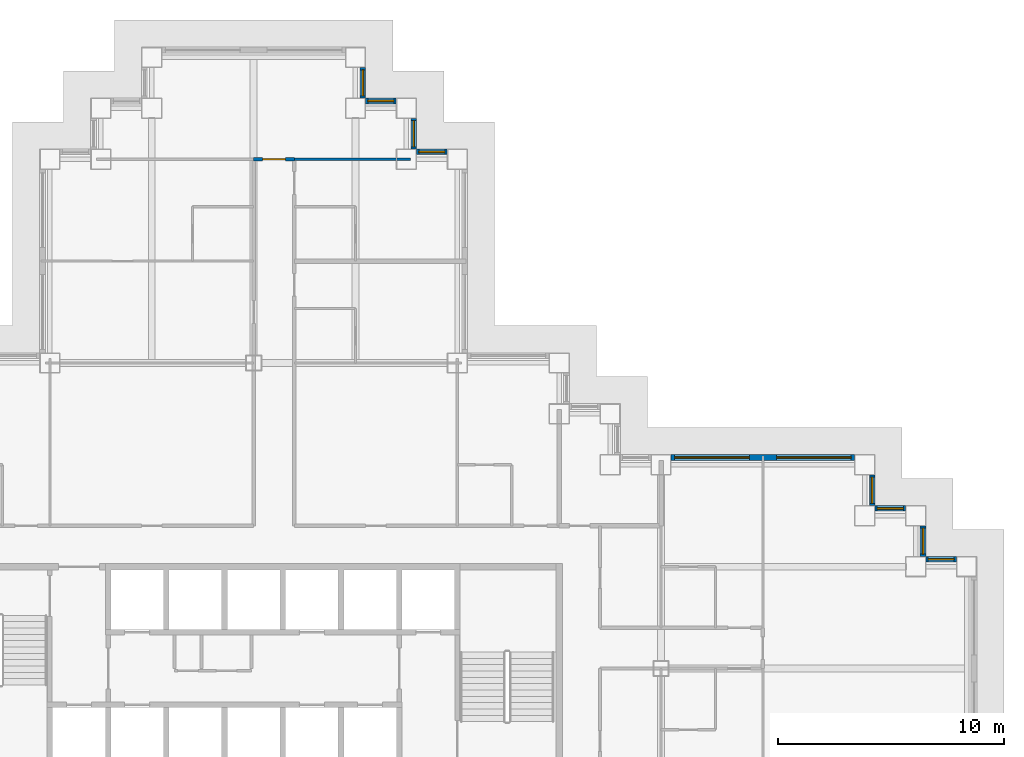
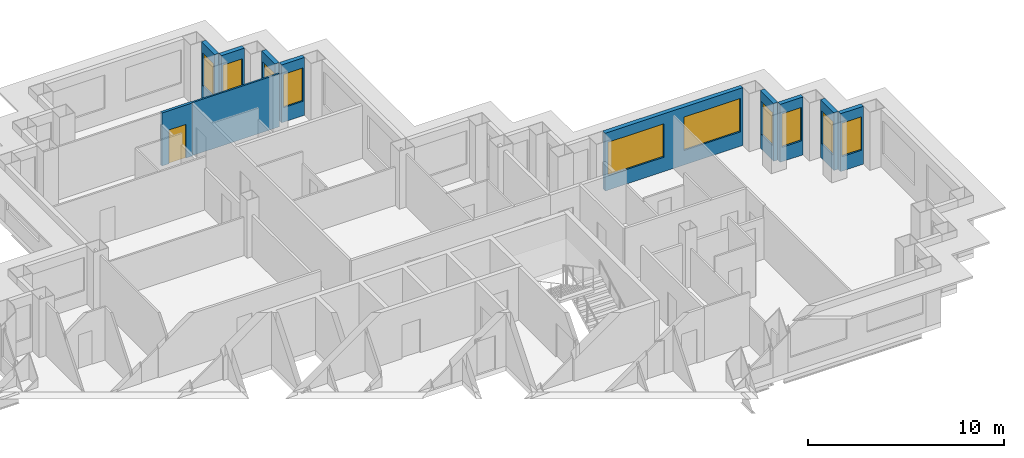
# One storey, part 9 of 14: 11 walls, 10 windows, 1 door, 11 openings.
"""IFC4 building model written with IfcOpenShell, lengths in metres."""

import ifcopenshell
import ifcopenshell.guid

model = None  # the IFC model being written
_history = None  # IfcOwnerHistory: only IFC2X3 demands one
_inside = {}  # id of a spatial element -> (the spatial element, [elements in it])
_under = {}  # id of a project, library or spatial element -> (it, [spatial elements below it])
_declared = {}  # id of a project -> (the project, [libraries it declares])
_typed = {}  # id of a type object -> (the type object, [elements of that type])
_made_of = {}  # id of a material, layer set ... -> (it, [elements and type objects made of it])


def new_model(schema):
    """Start an empty IFC model of exactly this schema.

    Asked for "IFC4X3", IfcOpenShell would pick the latest addendum, in which some entities
    have other attributes; the version numbers below select the first issue.
    IFC2X3 requires an IfcOwnerHistory on every rooted entity: one is made here for all.
    """
    global model, _history
    if schema == "IFC4X3":
        model = ifcopenshell.file(schema_version=(4, 3, 0, 0))
    else:
        model = ifcopenshell.file(schema=schema)
    _inside.clear()
    _under.clear()
    _declared.clear()
    _typed.clear()
    _made_of.clear()
    _history = None
    if model.schema == "IFC2X3":
        org = make("IfcOrganization", Name="unknown")
        user = make(
            "IfcPersonAndOrganization",
            ThePerson=make("IfcPerson", FamilyName="unknown"),
            TheOrganization=org,
        )
        app = make(
            "IfcApplication",
            ApplicationDeveloper=org,
            Version="unknown",
            ApplicationFullName="unknown",
            ApplicationIdentifier="unknown",
        )
        _history = make(
            "IfcOwnerHistory",
            OwningUser=user,
            OwningApplication=app,
            ChangeAction="ADDED",
            CreationDate=0,
        )
    return model


def make(cls, **values):
    """One entity of the class cls with the attributes given. An attribute that is None is left unset."""
    return model.create_entity(
        cls, **{name: value for name, value in values.items() if value is not None}
    )


def rooted(cls, **values):
    """An entity with a GlobalId (a new one), such as an element, a storey or a relation."""
    return make(cls, GlobalId=ifcopenshell.guid.new(), OwnerHistory=_history, **values)


def si_unit(unit_type, name, prefix=None):
    """IfcSIUnit, for example si_unit("LENGTHUNIT", "METRE", prefix="MILLI")."""
    return make("IfcSIUnit", UnitType=unit_type, Prefix=prefix, Name=name)


def assignment(units):
    """IfcUnitAssignment: the units of a project."""
    return None if units is None else make("IfcUnitAssignment", Units=units)


def point(xyz):
    """IfcCartesianPoint."""
    return None if xyz is None else make("IfcCartesianPoint", Coordinates=xyz)


def direction(xyz):
    """IfcDirection."""
    return None if xyz is None else make("IfcDirection", DirectionRatios=xyz)


def frame(location, z_axis=None, x_axis=None):
    """IfcAxis2Placement3D, a coordinate frame: its origin and axes. An axis left out is left unset."""
    return make(
        "IfcAxis2Placement3D",
        Location=point(location),
        Axis=direction(z_axis),
        RefDirection=direction(x_axis),
    )


def frame_2d(location, x_axis=None):
    """IfcAxis2Placement2D, a coordinate frame in the plane: its origin and x axis."""
    return make(
        "IfcAxis2Placement2D", Location=point(location), RefDirection=direction(x_axis)
    )


def origin():
    """The frame at (0, 0, 0) with its axes left unset."""
    return frame((0.0, 0.0, 0.0))


def place(relative_to, where):
    """IfcLocalPlacement: puts the frame where relative to a parent placement (None: the world)."""
    return make(
        "IfcLocalPlacement", PlacementRelTo=relative_to, RelativePlacement=where
    )


def context(
    kind, dimensions, precision=None, world=None, true_north=None, identifier=None
):
    """IfcGeometricRepresentationContext, for example the 3D "Model" context."""
    return make(
        "IfcGeometricRepresentationContext",
        ContextIdentifier=identifier,
        ContextType=kind,
        CoordinateSpaceDimension=dimensions,
        Precision=precision,
        WorldCoordinateSystem=world,
        TrueNorth=true_north,
    )


def subcontext(parent, identifier, kind, view, scale=None):
    """IfcGeometricRepresentationSubContext, for example "Body" below "Model"."""
    return make(
        "IfcGeometricRepresentationSubContext",
        ContextIdentifier=identifier,
        ContextType=kind,
        ParentContext=parent,
        TargetScale=scale,
        TargetView=view,
    )


def project(units=None, contexts=None):
    """IfcProject with its units and contexts."""
    return rooted(
        "IfcProject",
        Name="project",
        RepresentationContexts=contexts,
        UnitsInContext=assignment(units),
    )


def spatial(cls, under=None, at=None, **own):
    """A site, building, storey or space (cls), placed at a placement, below another one or the project."""
    s = rooted(cls, ObjectPlacement=at, **own)
    if under is not None:
        _under.setdefault(under.id(), (under, []))[1].append(s)
    return s


def profile(cls, at=None, kind="AREA", **sizes):
    """A parametric profile (cls). Its sizes go by their IFC names, for example OverallWidth=200.0."""
    return make(cls, ProfileType=kind, Position=at, **sizes)


def rectangle(**sizes):
    """IfcRectangleProfileDef."""
    return profile("IfcRectangleProfileDef", **sizes)


def extrude(swept, where, along, depth):
    """IfcExtrudedAreaSolid: the profile swept, set in the frame where, extruded along a direction by depth."""
    return make(
        "IfcExtrudedAreaSolid",
        SweptArea=swept,
        Position=where,
        ExtrudedDirection=direction(along),
        Depth=depth,
    )


def shape(context_of_items, identifier, shape_type, items):
    """IfcShapeRepresentation: the items that make up one representation, for example the "Body"."""
    return make(
        "IfcShapeRepresentation",
        ContextOfItems=context_of_items,
        RepresentationIdentifier=identifier,
        RepresentationType=shape_type,
        Items=items,
    )


def material(Name=None, Category=None):
    """IfcMaterial."""
    return make("IfcMaterial", Name=Name, Category=Category)


def layer(
    of_material, thickness, ventilated=None, Name=None, Category=None, Priority=None
):
    """IfcMaterialLayer: one layer of a wall or slab, of a material (None: an air gap)."""
    return make(
        "IfcMaterialLayer",
        Material=of_material,
        LayerThickness=thickness,
        IsVentilated=ventilated,
        Name=Name,
        Category=Category,
        Priority=Priority,
    )


def layer_set(layers, Name=None):
    """IfcMaterialLayerSet."""
    return make("IfcMaterialLayerSet", MaterialLayers=layers, LayerSetName=Name)


def made_of(thing, what):
    """Note that an element or type object is made of a material, layer set ...; save() writes the relation."""
    if what is not None:
        _made_of.setdefault(what.id(), (what, []))[1].append(thing)
    return thing


def type_object(cls, material=None, **own):
    """A type object (cls), such as IfcWallType, which elements share."""
    return made_of(rooted(cls, **own), material)


def element(
    cls,
    number,
    at=None,
    inside=None,
    cuts=None,
    type_object=None,
    material=None,
    context=None,
    identifier="Body",
    shape_type=None,
    held_by="IfcProductDefinitionShape",
    body=None,
    shapes=None,
    **own,
):
    """One element of the class cls, such as IfcWall. Its Tag is "e" and its number.

    at: its placement. inside: the storey or other place that contains it. cuts: it is an
    opening in that element (IfcRelVoidsElement). A single representation is given by context,
    identifier, shape_type and body (its items); several are given by shapes. held_by: the class
    of the entity that holds the representations. save() writes the other relations.
    """
    e = rooted(cls, Tag="e%d" % number, ObjectPlacement=at, **own)
    if body is not None:
        shapes = [shape(context, identifier, shape_type, body)]
    if shapes is not None:
        e.Representation = make(held_by, Representations=shapes)
    if inside is not None:
        _inside.setdefault(inside.id(), (inside, []))[1].append(e)
    if cuts is not None:
        rooted(
            "IfcRelVoidsElement", RelatingBuildingElement=cuts, RelatedOpeningElement=e
        )
    if type_object is not None:
        _typed.setdefault(type_object.id(), (type_object, []))[1].append(e)
    return made_of(e, material)


def fill(opening, filler):
    """IfcRelFillsElement: the door or window that sits in an opening."""
    return rooted(
        "IfcRelFillsElement",
        RelatingOpeningElement=opening,
        RelatedBuildingElement=filler,
    )


def aggregate(whole, parts):
    """IfcRelAggregates: a whole, such as a stair, and the parts it consists of."""
    return rooted("IfcRelAggregates", RelatingObject=whole, RelatedObjects=parts)


def save(model, path):
    """Write the relations noted so far, then the file.

    IfcRelAggregates (storeys below a building ...), IfcRelContainedInSpatialStructure (elements
    in a storey), IfcRelDefinesByType, IfcRelAssociatesMaterial and IfcRelDeclares: one each for
    every whole, place, type object, material and project.
    """
    for whole, parts in _under.values():
        aggregate(whole, parts)
    for where, things in _inside.values():
        rooted(
            "IfcRelContainedInSpatialStructure",
            RelatedElements=things,
            RelatingStructure=where,
        )
    for kind, things in _typed.values():
        rooted("IfcRelDefinesByType", RelatedObjects=things, RelatingType=kind)
    for what, things in _made_of.values():
        rooted("IfcRelAssociatesMaterial", RelatedObjects=things, RelatingMaterial=what)
    for by, libraries in _declared.values():
        rooted("IfcRelDeclares", RelatingContext=by, RelatedDefinitions=libraries)
    model.write(path)


model = new_model("IFC4")

# Units and contexts
model_context = context("Model", 3, precision=1e-05, world=origin(), true_north=direction((0.0, 1.0)))
body_context = subcontext(model_context, "Body", "Model", "MODEL_VIEW")
ifc_project = project(units=[si_unit("LENGTHUNIT", "METRE"), si_unit("AREAUNIT", "SQUARE_METRE"), si_unit("VOLUMEUNIT", "CUBIC_METRE"), si_unit("PLANEANGLEUNIT", "RADIAN"), si_unit("MASSUNIT", "GRAM", prefix="KILO")], contexts=[model_context])

# Site, building, storey
site_placement = place(None, origin())
site = spatial("IfcSite", under=ifc_project, at=site_placement, CompositionType="ELEMENT")
building_placement = place(site_placement, origin())
building = spatial("IfcBuilding", under=site, at=building_placement, Name="Caravel Reach Hotel and Residences", CompositionType="ELEMENT")
storey_placement = place(building_placement, frame((0.0, 0.0, 118.800048828125)))
storey = spatial("IfcBuildingStorey", under=building, at=storey_placement, Name="L29", CompositionType="ELEMENT", Elevation=118.800048828125)

# Wall, opening, door
ifc_material_1 = material(Name="Gypsum board on steel stud, fire-rated", Category="steel")
ifc_layer_1 = layer(ifc_material_1, 0.14990234375)
ifc_layer_set_1 = layer_set([ifc_layer_1], Name="Corridor wall 150 mm EI 60")
wall_type_1 = type_object("IfcWallType", Name="Corridor wall 150 mm EI 60", PredefinedType="PARTITIONING", material=ifc_layer_set_1)
wall_1_placement = place(storey_placement, frame((31.5, 49.5, 0.0), z_axis=(0.0, 0.0, 1.0), x_axis=(1.0, 0.0, 0.0)))
wall_1 = element("IfcWall", 1, at=wall_1_placement, inside=storey, type_object=wall_type_1, Name="L29 wall w019", PredefinedType="PARTITIONING", context=body_context, shape_type="SweptSolid", body=[
    extrude(rectangle(XDim=1.800048828125, YDim=0.14990234375, at=frame_2d((0.89990234375, 0.0))), origin(), (0.0, 0.0, 1.0), 3.300048828125),
])
opening_1_placement = place(wall_1_placement, frame((0.39990234375, 0.0, 0.0)))
opening_1 = element("IfcOpeningElement", 2, at=opening_1_placement, cuts=wall_1, Name="Opening D29-037", PredefinedType="OPENING", context=body_context, shape_type="SweptSolid", body=[
    extrude(rectangle(XDim=1.0, YDim=2.10009765625, at=frame_2d((0.5, 1.050048828125))), frame((0.0, 0.0849609375, 0.0), z_axis=(0.0, -1.0, 0.0), x_axis=(1.0, 0.0, 0.0)), (0.0, 0.0, 1.0), 0.169921875),
])
ifc_material_2 = material(Name="Steel fire door leaf", Category="steel")
door_type = type_object("IfcDoorType", Name="Guest room door 1000 x 2100 EI 30", OperationType="SINGLE_SWING_LEFT", PredefinedType="DOOR", material=ifc_material_2)
door_placement = place(opening_1_placement, origin())
door = element("IfcDoor", 3, at=door_placement, inside=storey, type_object=door_type, Name="door D29-037", OperationType="SINGLE_SWING_LEFT", OverallHeight=2.10009765625, OverallWidth=1.0, PredefinedType="DOOR", context=body_context, shape_type="SweptSolid", body=[
    extrude(rectangle(XDim=1.0, YDim=2.10009765625, at=frame_2d((0.5, 1.050048828125))), frame((0.0, 0.02490234375, 0.0), z_axis=(0.0, -1.0, 0.0), x_axis=(1.0, 0.0, 0.0)), (0.0, 0.0, 1.0), 0.050048828125),
])
fill(opening_1, door)

# Wall, opening, window
ifc_material_3 = material(Name="Insulated rainscreen wall, aluminium cladding", Category="aluminium")
ifc_layer_2 = layer(ifc_material_3, 0.25)
ifc_layer_set_2 = layer_set([ifc_layer_2], Name="EW1 Tower rainscreen wall")
wall_type_2 = type_object("IfcWallType", Name="EW1 Tower rainscreen wall", PredefinedType="SOLIDWALL", material=ifc_layer_set_2)
wall_2_placement = place(storey_placement, frame((62.550048828125, 31.824951171875, 0.0), z_axis=(0.0, 0.0, 1.0), x_axis=(-1.0, 0.0, 0.0)))
wall_2 = element("IfcWall", 4, at=wall_2_placement, inside=storey, type_object=wall_type_2, Name="External wall L29 N21.1", PredefinedType="SOLIDWALL", context=body_context, shape_type="SweptSolid", body=[
    extrude(rectangle(XDim=1.35009765625, YDim=0.25, at=frame_2d((0.675048828125, 0.0))), origin(), (0.0, 0.0, 1.0), 3.599853515625),
])
opening_2_placement = place(wall_2_placement, frame((0.10009765625, 0.0, 0.89990234375)))
opening_2 = element("IfcOpeningElement", 5, at=opening_2_placement, cuts=wall_2, Name="Opening WN8", PredefinedType="OPENING", context=body_context, shape_type="SweptSolid", body=[
    extrude(rectangle(XDim=1.14990234375, YDim=2.080078125, at=frame_2d((0.574951171875, 1.0400390625))), frame((0.0, 0.135009765625, 0.0), z_axis=(0.0, -1.0, 0.0), x_axis=(1.0, 0.0, 0.0)), (0.0, 0.0, 1.0), 0.27001953125),
])
ifc_material_4 = material(Name="Dark low-e glazing in black aluminium frame", Category="aluminium")
window_type_1 = type_object("IfcWindowType", Name="Hotel suite corner window 1150 x 2080", PartitioningType="SINGLE_PANEL", PredefinedType="WINDOW", material=ifc_material_4)
window_1_placement = place(opening_2_placement, origin())
window_1 = element("IfcWindow", 6, at=window_1_placement, inside=storey, type_object=window_type_1, Name="Window L29 N21.1.1", OverallHeight=2.080078125, OverallWidth=1.14990234375, PartitioningType="SINGLE_PANEL", PredefinedType="WINDOW", context=body_context, shape_type="SweptSolid", body=[
    extrude(rectangle(XDim=1.14990234375, YDim=2.080078125, at=frame_2d((0.574951171875, 1.0400390625))), frame((0.0, 0.030029296875, 0.0), z_axis=(0.0, -1.0, 0.0), x_axis=(1.0, 0.0, 0.0)), (0.0, 0.0, 1.0), 0.06005859375),
])
fill(opening_2, window_1)

wall_3_placement = place(storey_placement, frame((61.074951171875, 31.949951171875, 0.0), z_axis=(0.0, 0.0, 1.0), x_axis=(0.0, 1.0, 0.0)))
wall_3 = element("IfcWall", 7, at=wall_3_placement, inside=storey, type_object=wall_type_2, Name="External wall L29 E22.1", PredefinedType="SOLIDWALL", context=body_context, shape_type="SweptSolid", body=[
    extrude(rectangle(XDim=1.35009765625, YDim=0.25, at=frame_2d((0.675048828125, 0.0))), origin(), (0.0, 0.0, 1.0), 3.599853515625),
])
opening_3_placement = place(wall_3_placement, frame((0.10009765625, 0.0, 0.89990234375)))
opening_3 = element("IfcOpeningElement", 8, at=opening_3_placement, cuts=wall_3, Name="Opening WN8", PredefinedType="OPENING", context=body_context, shape_type="SweptSolid", body=[
    extrude(rectangle(XDim=1.14990234375, YDim=2.080078125, at=frame_2d((0.574951171875, 1.0400390625))), frame((0.0, 0.135009765625, 0.0), z_axis=(0.0, -1.0, 0.0), x_axis=(1.0, 0.0, 0.0)), (0.0, 0.0, 1.0), 0.27001953125),
])
window_2_placement = place(opening_3_placement, origin())
window_2 = element("IfcWindow", 9, at=window_2_placement, inside=storey, type_object=window_type_1, Name="Window L29 E22.1.1", OverallHeight=2.080078125, OverallWidth=1.14990234375, PartitioningType="SINGLE_PANEL", PredefinedType="WINDOW", context=body_context, shape_type="SweptSolid", body=[
    extrude(rectangle(XDim=1.14990234375, YDim=2.080078125, at=frame_2d((0.574951171875, 1.0400390625))), frame((0.0, 0.030029296875, 0.0), z_axis=(0.0, -1.0, 0.0), x_axis=(1.0, 0.0, 0.0)), (0.0, 0.0, 1.0), 0.06005859375),
])
fill(opening_3, window_2)

wall_4_placement = place(storey_placement, frame((60.300048828125, 34.074951171875, 0.0), z_axis=(0.0, 0.0, 1.0), x_axis=(-1.0, 0.0, 0.0)))
wall_4 = element("IfcWall", 10, at=wall_4_placement, inside=storey, type_object=wall_type_2, Name="External wall L29 N23.1", PredefinedType="SOLIDWALL", context=body_context, shape_type="SweptSolid", body=[
    extrude(rectangle(XDim=1.35009765625, YDim=0.25, at=frame_2d((0.675048828125, 0.0))), origin(), (0.0, 0.0, 1.0), 3.599853515625),
])
opening_4_placement = place(wall_4_placement, frame((0.10009765625, 0.0, 0.89990234375)))
opening_4 = element("IfcOpeningElement", 11, at=opening_4_placement, cuts=wall_4, Name="Opening WN8", PredefinedType="OPENING", context=body_context, shape_type="SweptSolid", body=[
    extrude(rectangle(XDim=1.14990234375, YDim=2.080078125, at=frame_2d((0.574951171875, 1.0400390625))), frame((0.0, 0.135009765625, 0.0), z_axis=(0.0, -1.0, 0.0), x_axis=(1.0, 0.0, 0.0)), (0.0, 0.0, 1.0), 0.27001953125),
])
window_3_placement = place(opening_4_placement, origin())
window_3 = element("IfcWindow", 12, at=window_3_placement, inside=storey, type_object=window_type_1, Name="Window L29 N23.1.1", OverallHeight=2.080078125, OverallWidth=1.14990234375, PartitioningType="SINGLE_PANEL", PredefinedType="WINDOW", context=body_context, shape_type="SweptSolid", body=[
    extrude(rectangle(XDim=1.14990234375, YDim=2.080078125, at=frame_2d((0.574951171875, 1.0400390625))), frame((0.0, 0.030029296875, 0.0), z_axis=(0.0, -1.0, 0.0), x_axis=(1.0, 0.0, 0.0)), (0.0, 0.0, 1.0), 0.06005859375),
])
fill(opening_4, window_3)

wall_5_placement = place(storey_placement, frame((58.824951171875, 34.199951171875, 0.0), z_axis=(0.0, 0.0, 1.0), x_axis=(0.0, 1.0, 0.0)))
wall_5 = element("IfcWall", 13, at=wall_5_placement, inside=storey, type_object=wall_type_2, Name="External wall L29 E24.1", PredefinedType="SOLIDWALL", context=body_context, shape_type="SweptSolid", body=[
    extrude(rectangle(XDim=1.35009765625, YDim=0.25, at=frame_2d((0.675048828125, 0.0))), origin(), (0.0, 0.0, 1.0), 3.599853515625),
])
opening_5_placement = place(wall_5_placement, frame((0.10009765625, 0.0, 0.89990234375)))
opening_5 = element("IfcOpeningElement", 14, at=opening_5_placement, cuts=wall_5, Name="Opening WN8", PredefinedType="OPENING", context=body_context, shape_type="SweptSolid", body=[
    extrude(rectangle(XDim=1.14990234375, YDim=2.080078125, at=frame_2d((0.574951171875, 1.0400390625))), frame((0.0, 0.135009765625, 0.0), z_axis=(0.0, -1.0, 0.0), x_axis=(1.0, 0.0, 0.0)), (0.0, 0.0, 1.0), 0.27001953125),
])
window_4_placement = place(opening_5_placement, origin())
window_4 = element("IfcWindow", 15, at=window_4_placement, inside=storey, type_object=window_type_1, Name="Window L29 E24.1.1", OverallHeight=2.080078125, OverallWidth=1.14990234375, PartitioningType="SINGLE_PANEL", PredefinedType="WINDOW", context=body_context, shape_type="SweptSolid", body=[
    extrude(rectangle(XDim=1.14990234375, YDim=2.080078125, at=frame_2d((0.574951171875, 1.0400390625))), frame((0.0, 0.030029296875, 0.0), z_axis=(0.0, -1.0, 0.0), x_axis=(1.0, 0.0, 0.0)), (0.0, 0.0, 1.0), 0.06005859375),
])
fill(opening_5, window_4)

# Wall, openings, windows
wall_6_placement = place(storey_placement, frame((58.050048828125, 36.324951171875, 0.0), z_axis=(0.0, 0.0, 1.0), x_axis=(-1.0, 0.0, 0.0)))
wall_6 = element("IfcWall", 16, at=wall_6_placement, inside=storey, type_object=wall_type_2, Name="External wall L29 N25.1", PredefinedType="SOLIDWALL", context=body_context, shape_type="SweptSolid", body=[
    extrude(rectangle(XDim=8.10009765625, YDim=0.25, at=frame_2d((4.050048828125, 0.0))), origin(), (0.0, 0.0, 1.0), 3.599853515625),
])
opening_6_placement = place(wall_6_placement, frame((0.14990234375, 0.0, 0.89990234375)))
opening_6 = element("IfcOpeningElement", 17, at=opening_6_placement, cuts=wall_6, Name="Opening WN4", PredefinedType="OPENING", context=body_context, shape_type="SweptSolid", body=[
    extrude(rectangle(XDim=3.300048828125, YDim=2.080078125, at=frame_2d((1.64990234375, 1.0400390625))), frame((0.0, 0.135009765625, 0.0), z_axis=(0.0, -1.0, 0.0), x_axis=(1.0, 0.0, 0.0)), (0.0, 0.0, 1.0), 0.27001953125),
])
opening_7_placement = place(wall_6_placement, frame((4.64990234375, 0.0, 0.89990234375)))
opening_7 = element("IfcOpeningElement", 18, at=opening_7_placement, cuts=wall_6, Name="Opening WN4", PredefinedType="OPENING", context=body_context, shape_type="SweptSolid", body=[
    extrude(rectangle(XDim=3.300048828125, YDim=2.080078125, at=frame_2d((1.64990234375, 1.0400390625))), frame((0.0, 0.135009765625, 0.0), z_axis=(0.0, -1.0, 0.0), x_axis=(1.0, 0.0, 0.0)), (0.0, 0.0, 1.0), 0.27001953125),
])
ifc_material_5 = material(Name="Dark low-e glazing in black aluminium frame", Category="aluminium")
window_type_2 = type_object("IfcWindowType", Name="Hotel guest room window 3300 x 2080", PartitioningType="SINGLE_PANEL", PredefinedType="WINDOW", material=ifc_material_5)
window_5_placement = place(opening_6_placement, origin())
window_5 = element("IfcWindow", 19, at=window_5_placement, inside=storey, type_object=window_type_2, Name="Window L29 N25.1.1", OverallHeight=2.080078125, OverallWidth=3.300048828125, PartitioningType="SINGLE_PANEL", PredefinedType="WINDOW", context=body_context, shape_type="SweptSolid", body=[
    extrude(rectangle(XDim=3.300048828125, YDim=2.080078125, at=frame_2d((1.64990234375, 1.0400390625))), frame((0.0, 0.030029296875, 0.0), z_axis=(0.0, -1.0, 0.0), x_axis=(1.0, 0.0, 0.0)), (0.0, 0.0, 1.0), 0.06005859375),
])
fill(opening_6, window_5)
window_6_placement = place(opening_7_placement, origin())
window_6 = element("IfcWindow", 20, at=window_6_placement, inside=storey, type_object=window_type_2, Name="Window L29 N25.1.2", OverallHeight=2.080078125, OverallWidth=3.300048828125, PartitioningType="SINGLE_PANEL", PredefinedType="WINDOW", context=body_context, shape_type="SweptSolid", body=[
    extrude(rectangle(XDim=3.300048828125, YDim=2.080078125, at=frame_2d((1.64990234375, 1.0400390625))), frame((0.0, 0.030029296875, 0.0), z_axis=(0.0, -1.0, 0.0), x_axis=(1.0, 0.0, 0.0)), (0.0, 0.0, 1.0), 0.06005859375),
])
fill(opening_7, window_6)

# Wall, opening, window
wall_7_placement = place(storey_placement, frame((40.050048828125, 49.824951171875, 0.0), z_axis=(0.0, 0.0, 1.0), x_axis=(-1.0, 0.0, 0.0)))
wall_7 = element("IfcWall", 21, at=wall_7_placement, inside=storey, type_object=wall_type_2, Name="External wall L29 N31.1", PredefinedType="SOLIDWALL", context=body_context, shape_type="SweptSolid", body=[
    extrude(rectangle(XDim=1.35009765625, YDim=0.25, at=frame_2d((0.675048828125, 0.0))), origin(), (0.0, 0.0, 1.0), 3.599853515625),
])
opening_8_placement = place(wall_7_placement, frame((0.10009765625, 0.0, 0.89990234375)))
opening_8 = element("IfcOpeningElement", 22, at=opening_8_placement, cuts=wall_7, Name="Opening WN8", PredefinedType="OPENING", context=body_context, shape_type="SweptSolid", body=[
    extrude(rectangle(XDim=1.14990234375, YDim=2.080078125, at=frame_2d((0.574951171875, 1.0400390625))), frame((0.0, 0.135009765625, 0.0), z_axis=(0.0, -1.0, 0.0), x_axis=(1.0, 0.0, 0.0)), (0.0, 0.0, 1.0), 0.27001953125),
])
window_7_placement = place(opening_8_placement, origin())
window_7 = element("IfcWindow", 23, at=window_7_placement, inside=storey, type_object=window_type_1, Name="Window L29 N31.1.1", OverallHeight=2.080078125, OverallWidth=1.14990234375, PartitioningType="SINGLE_PANEL", PredefinedType="WINDOW", context=body_context, shape_type="SweptSolid", body=[
    extrude(rectangle(XDim=1.14990234375, YDim=2.080078125, at=frame_2d((0.574951171875, 1.0400390625))), frame((0.0, 0.030029296875, 0.0), z_axis=(0.0, -1.0, 0.0), x_axis=(1.0, 0.0, 0.0)), (0.0, 0.0, 1.0), 0.06005859375),
])
fill(opening_8, window_7)

wall_8_placement = place(storey_placement, frame((38.574951171875, 49.949951171875, 0.0), z_axis=(0.0, 0.0, 1.0), x_axis=(0.0, 1.0, 0.0)))
wall_8 = element("IfcWall", 24, at=wall_8_placement, inside=storey, type_object=wall_type_2, Name="External wall L29 E32.1", PredefinedType="SOLIDWALL", context=body_context, shape_type="SweptSolid", body=[
    extrude(rectangle(XDim=1.35009765625, YDim=0.25, at=frame_2d((0.675048828125, 0.0))), origin(), (0.0, 0.0, 1.0), 3.599853515625),
])
opening_9_placement = place(wall_8_placement, frame((0.10009765625, 0.0, 0.89990234375)))
opening_9 = element("IfcOpeningElement", 25, at=opening_9_placement, cuts=wall_8, Name="Opening WN8", PredefinedType="OPENING", context=body_context, shape_type="SweptSolid", body=[
    extrude(rectangle(XDim=1.14990234375, YDim=2.080078125, at=frame_2d((0.574951171875, 1.0400390625))), frame((0.0, 0.135009765625, 0.0), z_axis=(0.0, -1.0, 0.0), x_axis=(1.0, 0.0, 0.0)), (0.0, 0.0, 1.0), 0.27001953125),
])
window_8_placement = place(opening_9_placement, origin())
window_8 = element("IfcWindow", 26, at=window_8_placement, inside=storey, type_object=window_type_1, Name="Window L29 E32.1.1", OverallHeight=2.080078125, OverallWidth=1.14990234375, PartitioningType="SINGLE_PANEL", PredefinedType="WINDOW", context=body_context, shape_type="SweptSolid", body=[
    extrude(rectangle(XDim=1.14990234375, YDim=2.080078125, at=frame_2d((0.574951171875, 1.0400390625))), frame((0.0, 0.030029296875, 0.0), z_axis=(0.0, -1.0, 0.0), x_axis=(1.0, 0.0, 0.0)), (0.0, 0.0, 1.0), 0.06005859375),
])
fill(opening_9, window_8)

wall_9_placement = place(storey_placement, frame((37.800048828125, 52.074951171875, 0.0), z_axis=(0.0, 0.0, 1.0), x_axis=(-1.0, 0.0, 0.0)))
wall_9 = element("IfcWall", 27, at=wall_9_placement, inside=storey, type_object=wall_type_2, Name="External wall L29 N33.1", PredefinedType="SOLIDWALL", context=body_context, shape_type="SweptSolid", body=[
    extrude(rectangle(XDim=1.35009765625, YDim=0.25, at=frame_2d((0.675048828125, 0.0))), origin(), (0.0, 0.0, 1.0), 3.599853515625),
])
opening_10_placement = place(wall_9_placement, frame((0.10009765625, 0.0, 0.89990234375)))
opening_10 = element("IfcOpeningElement", 28, at=opening_10_placement, cuts=wall_9, Name="Opening WN8", PredefinedType="OPENING", context=body_context, shape_type="SweptSolid", body=[
    extrude(rectangle(XDim=1.14990234375, YDim=2.080078125, at=frame_2d((0.574951171875, 1.0400390625))), frame((0.0, 0.135009765625, 0.0), z_axis=(0.0, -1.0, 0.0), x_axis=(1.0, 0.0, 0.0)), (0.0, 0.0, 1.0), 0.27001953125),
])
window_9_placement = place(opening_10_placement, origin())
window_9 = element("IfcWindow", 29, at=window_9_placement, inside=storey, type_object=window_type_1, Name="Window L29 N33.1.1", OverallHeight=2.080078125, OverallWidth=1.14990234375, PartitioningType="SINGLE_PANEL", PredefinedType="WINDOW", context=body_context, shape_type="SweptSolid", body=[
    extrude(rectangle(XDim=1.14990234375, YDim=2.080078125, at=frame_2d((0.574951171875, 1.0400390625))), frame((0.0, 0.030029296875, 0.0), z_axis=(0.0, -1.0, 0.0), x_axis=(1.0, 0.0, 0.0)), (0.0, 0.0, 1.0), 0.06005859375),
])
fill(opening_10, window_9)

wall_10_placement = place(storey_placement, frame((36.324951171875, 52.199951171875, 0.0), z_axis=(0.0, 0.0, 1.0), x_axis=(0.0, 1.0, 0.0)))
wall_10 = element("IfcWall", 30, at=wall_10_placement, inside=storey, type_object=wall_type_2, Name="External wall L29 E34.1", PredefinedType="SOLIDWALL", context=body_context, shape_type="SweptSolid", body=[
    extrude(rectangle(XDim=1.35009765625, YDim=0.25, at=frame_2d((0.675048828125, 0.0))), origin(), (0.0, 0.0, 1.0), 3.599853515625),
])
opening_11_placement = place(wall_10_placement, frame((0.10009765625, 0.0, 0.89990234375)))
opening_11 = element("IfcOpeningElement", 31, at=opening_11_placement, cuts=wall_10, Name="Opening WN8", PredefinedType="OPENING", context=body_context, shape_type="SweptSolid", body=[
    extrude(rectangle(XDim=1.14990234375, YDim=2.080078125, at=frame_2d((0.574951171875, 1.0400390625))), frame((0.0, 0.135009765625, 0.0), z_axis=(0.0, -1.0, 0.0), x_axis=(1.0, 0.0, 0.0)), (0.0, 0.0, 1.0), 0.27001953125),
])
window_10_placement = place(opening_11_placement, origin())
window_10 = element("IfcWindow", 32, at=window_10_placement, inside=storey, type_object=window_type_1, Name="Window L29 E34.1.1", OverallHeight=2.080078125, OverallWidth=1.14990234375, PartitioningType="SINGLE_PANEL", PredefinedType="WINDOW", context=body_context, shape_type="SweptSolid", body=[
    extrude(rectangle(XDim=1.14990234375, YDim=2.080078125, at=frame_2d((0.574951171875, 1.0400390625))), frame((0.0, 0.030029296875, 0.0), z_axis=(0.0, -1.0, 0.0), x_axis=(1.0, 0.0, 0.0)), (0.0, 0.0, 1.0), 0.06005859375),
])
fill(opening_11, window_10)

# Wall
ifc_material_6 = material(Name="Gypsum board on steel stud", Category="steel")
ifc_layer_3 = layer(ifc_material_6, 0.10009765625)
ifc_layer_set_3 = layer_set([ifc_layer_3], Name="Partition 100 mm")
wall_type_3 = type_object("IfcWallType", Name="Partition 100 mm", PredefinedType="PARTITIONING", material=ifc_layer_set_3)
wall_11_placement = place(storey_placement, frame((33.300048828125, 49.5, 0.0), z_axis=(0.0, 0.0, 1.0), x_axis=(1.0, 0.0, 0.0)))
element("IfcWall", 33, at=wall_11_placement, inside=storey, type_object=wall_type_3, Name="L29 wall w045", PredefinedType="PARTITIONING", context=body_context, shape_type="SweptSolid", body=[
    extrude(rectangle(XDim=5.139892578125, YDim=0.10009765625, at=frame_2d((2.56982421875, 0.0))), origin(), (0.0, 0.0, 1.0), 3.300048828125),
])

save(model, "model.ifc")
